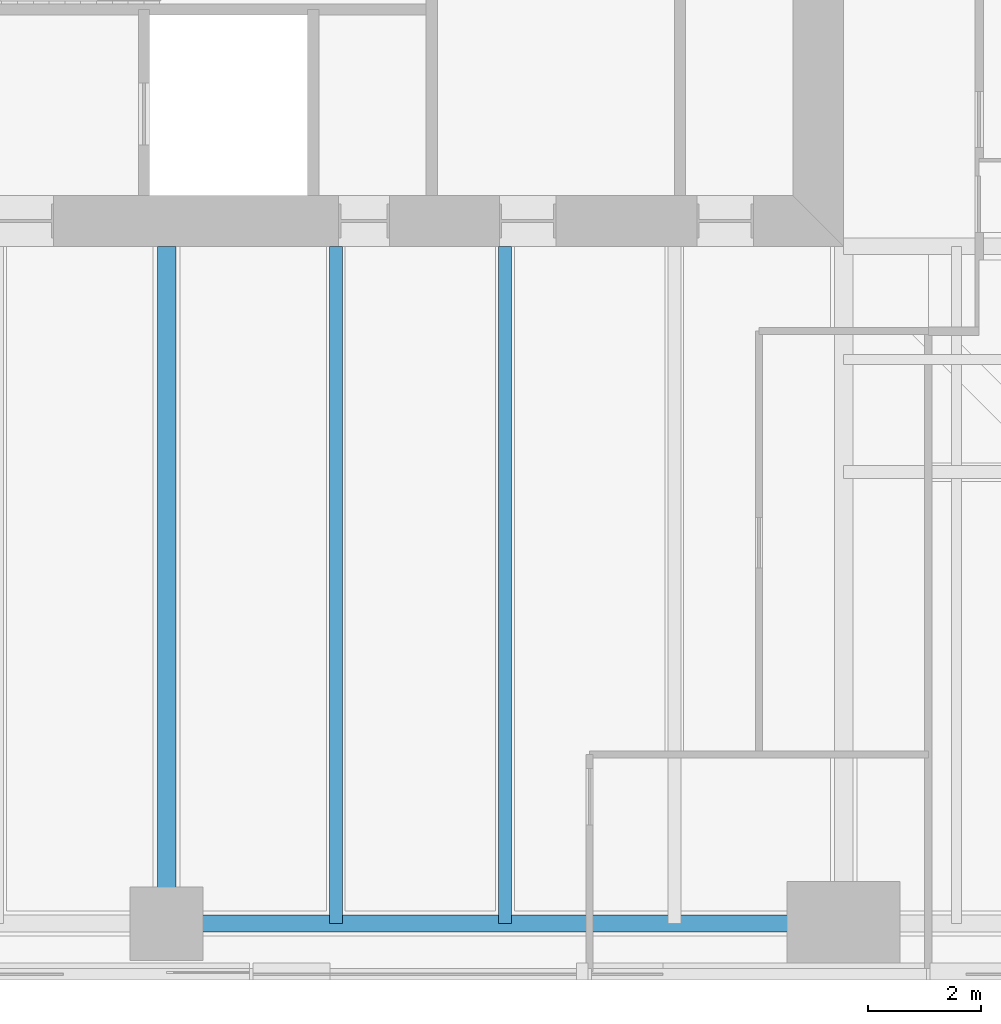
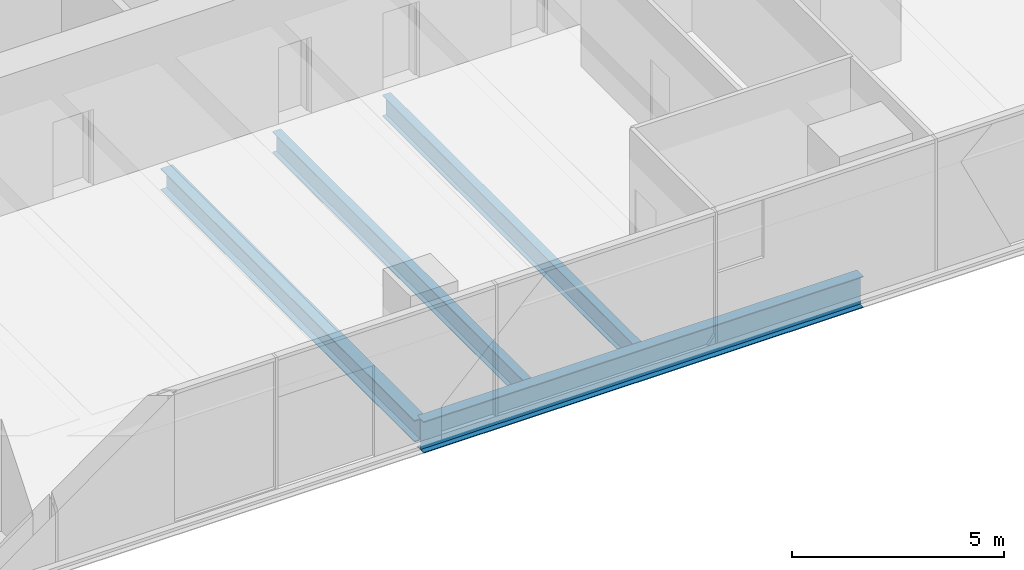
# One storey, part 3 of 13: 4 beams.
"""IFC4 building model written with IfcOpenShell, lengths in metres."""

from ifc_helpers import new_model, si_unit, direction, frame, origin, origin_2d, place, context, subcontext, project, spatial, i_section, extrude, material, material_profile, profile_set, type_object, element, save


model = new_model("IFC4")

# Units and contexts
model_context = context("Model", 3, precision=1e-05, world=origin(), true_north=direction((0.0, 1.0)))
body_context = subcontext(model_context, "Body", "Model", "MODEL_VIEW")
ifc_project = project(units=[si_unit("LENGTHUNIT", "METRE"), si_unit("AREAUNIT", "SQUARE_METRE"), si_unit("VOLUMEUNIT", "CUBIC_METRE"), si_unit("PLANEANGLEUNIT", "RADIAN"), si_unit("MASSUNIT", "GRAM", prefix="KILO")], contexts=[model_context])

# Site, building, storey
site_placement = place(None, origin())
site = spatial("IfcSite", under=ifc_project, at=site_placement, CompositionType="ELEMENT")
building_placement = place(site_placement, origin())
building = spatial("IfcBuilding", under=site, at=building_placement, Name="Fenwick Lantern Interchange", CompositionType="ELEMENT")
storey_placement = place(building_placement, frame((0.0, 0.0, 158.39990234375)))
storey = spatial("IfcBuildingStorey", under=building, at=storey_placement, Name="L37", CompositionType="ELEMENT", Elevation=158.39990234375)

# Beams
ifc_material = material(Name="Steel ASTM A992 Grade 50", Category="steel")
ifc_material_profile_1 = material_profile(ifc_material, i_section(OverallWidth=0.3046875, OverallDepth=0.911865234375, WebThickness=0.015869140625, FlangeThickness=0.02392578125, at=origin_2d()), Name="W36X150")
ifc_profile_set_1 = profile_set([ifc_material_profile_1], Name="Steel ASTM A992 Grade 50")
beam_type_1 = type_object("IfcBeamType", Name="EDGE BEAM W36X150", PredefinedType="SPANDREL", material=ifc_profile_set_1)
beam_1_placement = place(storey_placement, frame((25.0, 1.0, -0.605712890625), z_axis=(1.0, 0.0, 0.0), x_axis=(0.0, 1.0, 0.0)))
element("IfcBeam", 1, at=beam_1_placement, inside=storey, type_object=beam_type_1, Name="L37/FR/S/EB3", PredefinedType="SPANDREL", context=body_context, shape_type="SweptSolid", body=[
    extrude(i_section(OverallWidth=0.3046875, OverallDepth=0.911865234375, WebThickness=0.015869140625, FlangeThickness=0.02392578125, at=origin_2d()), origin(), (0.0, 0.0, 1.0), 12.0),
])
ifc_material_profile_2 = material_profile(ifc_material, i_section(OverallWidth=0.22900390625, OverallDepth=0.612060546875, WebThickness=0.011962890625, FlangeThickness=0.01953125, at=origin_2d()), Name="W24X84")
ifc_profile_set_2 = profile_set([ifc_material_profile_2], Name="Steel ASTM A992 Grade 50")
beam_type_2 = type_object("IfcBeamType", Name="FLOOR BEAM W24X84", PredefinedType="BEAM", material=ifc_profile_set_2)
for number, where, z_axis, x_axis, name in (
    (2, (28.0, 1.0, -0.4560546875), (0.0, 1.0, 0.0), (-1.0, 0.0, 0.0), "L37/FR/S/R06"),
    (3, (31.0, 1.0, -0.4560546875), (0.0, 1.0, 0.0), (-1.0, 0.0, 0.0), "L37/FR/S/R07"),
):
    element("IfcBeam", number, at=place(storey_placement, frame(where, z_axis=z_axis, x_axis=x_axis)), inside=storey, type_object=beam_type_2, Name=name, PredefinedType="BEAM", context=body_context, shape_type="SweptSolid", body=[
        extrude(i_section(OverallWidth=0.22900390625, OverallDepth=0.612060546875, WebThickness=0.011962890625, FlangeThickness=0.01953125, at=origin_2d()), origin(), (0.0, 0.0, 1.0), 12.0),
    ])
ifc_material_profile_3 = material_profile(ifc_material, i_section(OverallWidth=0.32763671875, OverallDepth=0.622314453125, WebThickness=0.015380859375, FlangeThickness=0.0244140625, at=origin_2d()), Name="W24X131")
ifc_profile_set_3 = profile_set([ifc_material_profile_3], Name="Steel ASTM A992 Grade 50")
beam_type_3 = type_object("IfcBeamType", Name="MOMENT-CONNECTED GIRDER W24X131", PredefinedType="BEAM", material=ifc_profile_set_3)
beam_2_placement = place(storey_placement, frame((25.0, 1.0, -0.4609375), z_axis=(0.0, 1.0, 0.0), x_axis=(-1.0, 0.0, 0.0)))
element("IfcBeam", 4, at=beam_2_placement, inside=storey, type_object=beam_type_3, Name="L37/FR/S/R05", PredefinedType="BEAM", context=body_context, shape_type="SweptSolid", body=[
    extrude(i_section(OverallWidth=0.32763671875, OverallDepth=0.622314453125, WebThickness=0.015380859375, FlangeThickness=0.0244140625, at=origin_2d()), origin(), (0.0, 0.0, 1.0), 12.0),
])

save(model, "model.ifc")
